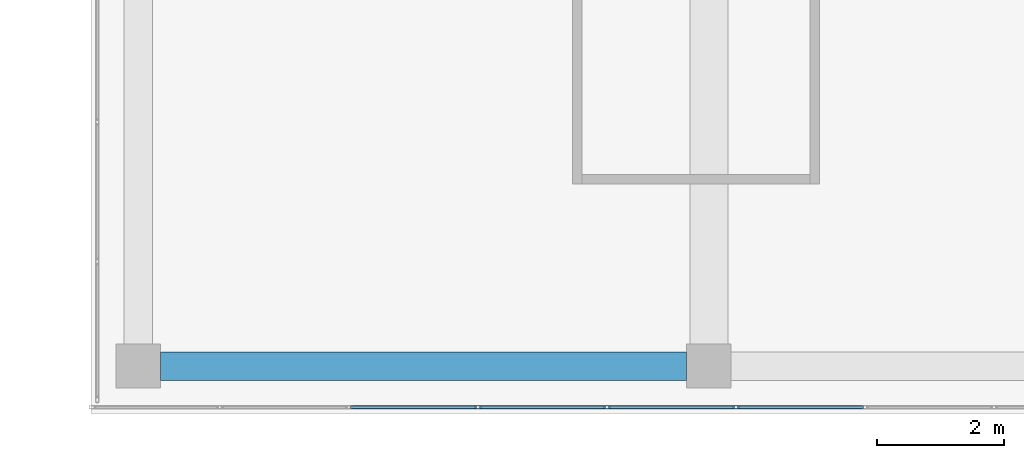
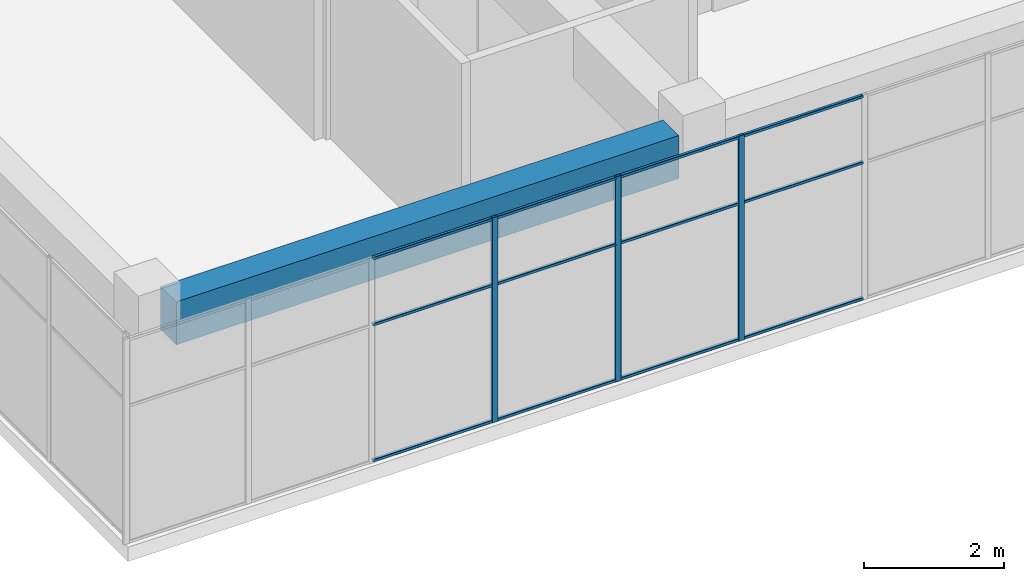
# One storey, part 4 of 32: 15 members, 1 beam, 1 element without a shape of its own.
"""IFC4 building model written with IfcOpenShell, lengths in metres."""

from ifc_helpers import new_model, si_unit, direction, frame, origin, origin_2d, place, context, subcontext, project, spatial, rectangle, hollow_rectangle, extrude, material, layer, layer_set, material_profile, profile_set, type_object, element, aggregate, save


model = new_model("IFC4")

# Units and contexts
model_context = context("Model", 3, precision=1e-05, world=origin(), true_north=direction((0.0, 1.0)))
body_context = subcontext(model_context, "Body", "Model", "MODEL_VIEW")
ifc_project = project(units=[si_unit("LENGTHUNIT", "METRE"), si_unit("AREAUNIT", "SQUARE_METRE"), si_unit("VOLUMEUNIT", "CUBIC_METRE"), si_unit("PLANEANGLEUNIT", "RADIAN"), si_unit("MASSUNIT", "GRAM", prefix="KILO")], contexts=[model_context])

# Site, building, storey
site_placement = place(None, origin())
site = spatial("IfcSite", under=ifc_project, at=site_placement, CompositionType="ELEMENT")
building_placement = place(site_placement, origin())
building = spatial("IfcBuilding", under=site, at=building_placement, Name="Tuart Plaza Theatre", CompositionType="ELEMENT")
storey_placement = place(building_placement, frame((0.0, 0.0, 37.5)))
storey = spatial("IfcBuildingStorey", under=building, at=storey_placement, Name="L09", CompositionType="ELEMENT", Elevation=37.5)

# Beam
ifc_material_1 = material(Name="Concrete N40 (40 MPa)", Category="concrete")
ifc_material_profile_1 = material_profile(ifc_material_1, rectangle(XDim=0.449951171875, YDim=0.75, at=origin_2d()), Name="BEAM 450x750 Concrete N40 (40 MPa)")
ifc_profile_set_1 = profile_set([ifc_material_profile_1], Name="Concrete N40 (40 MPa)")
beam_type = type_object("IfcBeamType", Name="BEAM 450x750 Concrete N40 (40 MPa)", PredefinedType="BEAM", material=ifc_profile_set_1)
beam_placement = place(storey_placement, frame((114.35009765625, 56.0, 3.205078125), z_axis=(1.0, 0.0, 0.0), x_axis=(0.0, 1.0, 0.0)))
element("IfcBeam", 1, at=beam_placement, inside=storey, type_object=beam_type, Name="RB256", PredefinedType="BEAM", context=body_context, shape_type="SweptSolid", body=[
    extrude(rectangle(XDim=0.449951171875, YDim=0.75, at=origin_2d()), origin(), (0.0, 0.0, 1.0), 8.2998046875),
])

# Curtain wall, members
ifc_material_2 = material(Name="Aluminium and glass", Category="aluminium")
ifc_layer = layer(ifc_material_2, 0.10009765625)
ifc_layer_set = layer_set([ifc_layer], Name="CURTAIN WALL 2000 module")
curtain_wall_type = type_object("IfcCurtainWallType", Name="CURTAIN WALL 2000 module", PredefinedType="NOTDEFINED", material=ifc_layer_set)
curtain_wall_placement = place(storey_placement, origin())
curtain_wall = element("IfcCurtainWall", 2, at=curtain_wall_placement, inside=storey, type_object=curtain_wall_type, Name="CW88", PredefinedType="NOTDEFINED")
ifc_material_3 = material(Name="Aluminium 6063-T5", Category="aluminium")
ifc_material_profile_2 = material_profile(ifc_material_3, hollow_rectangle(XDim=0.050048828125, YDim=0.10009765625, WallThickness=0.00390625, InnerFilletRadius=0.00390625, OuterFilletRadius=0.008056640625, at=origin_2d()), Name="RHS 100x50x4")
ifc_profile_set_2 = profile_set([ifc_material_profile_2], Name="Aluminium 6063-T5")
member_type_1 = type_object("IfcMemberType", Name="MULLION RHS 100x50x4", PredefinedType="MULLION", material=ifc_profile_set_2)
member_1_placement = place(storey_placement, frame((119.357177734375, 55.35009765625, 0.0), z_axis=(0.0, 0.0, 1.0), x_axis=(0.0, 1.0, 0.0)))
member_1 = element("IfcMember", 3, at=member_1_placement, type_object=member_type_1, Name="CW88 mullion 4", PredefinedType="MULLION", context=body_context, shape_type="SweptSolid", body=[
    extrude(hollow_rectangle(XDim=0.050048828125, YDim=0.10009765625, WallThickness=0.00390625, InnerFilletRadius=0.00390625, OuterFilletRadius=0.008056640625, at=origin_2d()), origin(), (0.0, 0.0, 1.0), 3.580078125),
])
member_2_placement = place(storey_placement, frame((121.392822265625, 55.35009765625, 0.0), z_axis=(0.0, 0.0, 1.0), x_axis=(0.0, 1.0, 0.0)))
member_2 = element("IfcMember", 4, at=member_2_placement, type_object=member_type_1, Name="CW88 mullion 5", PredefinedType="MULLION", context=body_context, shape_type="SweptSolid", body=[
    extrude(hollow_rectangle(XDim=0.050048828125, YDim=0.10009765625, WallThickness=0.00390625, InnerFilletRadius=0.00390625, OuterFilletRadius=0.008056640625, at=origin_2d()), origin(), (0.0, 0.0, 1.0), 3.580078125),
])
member_3_placement = place(storey_placement, frame((123.428466796875, 55.35009765625, 0.0), z_axis=(0.0, 0.0, 1.0), x_axis=(0.0, 1.0, 0.0)))
member_3 = element("IfcMember", 5, at=member_3_placement, type_object=member_type_1, Name="CW88 mullion 6", PredefinedType="MULLION", context=body_context, shape_type="SweptSolid", body=[
    extrude(hollow_rectangle(XDim=0.050048828125, YDim=0.10009765625, WallThickness=0.00390625, InnerFilletRadius=0.00390625, OuterFilletRadius=0.008056640625, at=origin_2d()), origin(), (0.0, 0.0, 1.0), 3.580078125),
])
ifc_material_4 = material(Name="Aluminium 6063-T5", Category="aluminium")
ifc_material_profile_3 = material_profile(ifc_material_4, hollow_rectangle(XDim=0.050048828125, YDim=0.050048828125, WallThickness=0.00390625, InnerFilletRadius=0.00390625, OuterFilletRadius=0.008056640625, at=origin_2d()), Name="RHS 50x50x4")
ifc_profile_set_3 = profile_set([ifc_material_profile_3], Name="Aluminium 6063-T5")
member_type_2 = type_object("IfcMemberType", Name="TRANSOM RHS 50x50x4", PredefinedType="USERDEFINED", material=ifc_profile_set_3)
member_4_placement = place(storey_placement, frame((117.346435546875, 55.35009765625, 0.02490234375), z_axis=(1.0, 0.0, 0.0), x_axis=(0.0, 1.0, 0.0)))
member_4 = element("IfcMember", 6, at=member_4_placement, type_object=member_type_2, Name="CW88 transom 3.1", ObjectType="TRANSOM", PredefinedType="USERDEFINED", context=body_context, shape_type="SweptSolid", body=[
    extrude(hollow_rectangle(XDim=0.050048828125, YDim=0.050048828125, WallThickness=0.00390625, InnerFilletRadius=0.00390625, OuterFilletRadius=0.008056640625, at=origin_2d()), origin(), (0.0, 0.0, 1.0), 1.985595703125),
])
member_5_placement = place(storey_placement, frame((117.346435546875, 55.35009765625, 2.39990234375), z_axis=(1.0, 0.0, 0.0), x_axis=(0.0, 1.0, 0.0)))
member_5 = element("IfcMember", 7, at=member_5_placement, type_object=member_type_2, Name="CW88 transom 3.2", ObjectType="TRANSOM", PredefinedType="USERDEFINED", context=body_context, shape_type="SweptSolid", body=[
    extrude(hollow_rectangle(XDim=0.050048828125, YDim=0.050048828125, WallThickness=0.00390625, InnerFilletRadius=0.00390625, OuterFilletRadius=0.008056640625, at=origin_2d()), origin(), (0.0, 0.0, 1.0), 1.985595703125),
])
member_6_placement = place(storey_placement, frame((117.346435546875, 55.35009765625, 3.554931640625), z_axis=(1.0, 0.0, 0.0), x_axis=(0.0, 1.0, 0.0)))
member_6 = element("IfcMember", 8, at=member_6_placement, type_object=member_type_2, Name="CW88 transom 3.3", ObjectType="TRANSOM", PredefinedType="USERDEFINED", context=body_context, shape_type="SweptSolid", body=[
    extrude(hollow_rectangle(XDim=0.050048828125, YDim=0.050048828125, WallThickness=0.00390625, InnerFilletRadius=0.00390625, OuterFilletRadius=0.008056640625, at=origin_2d()), origin(), (0.0, 0.0, 1.0), 1.985595703125),
])
member_7_placement = place(storey_placement, frame((119.382080078125, 55.35009765625, 0.02490234375), z_axis=(1.0, 0.0, 0.0), x_axis=(0.0, 1.0, 0.0)))
member_7 = element("IfcMember", 9, at=member_7_placement, type_object=member_type_2, Name="CW88 transom 4.1", ObjectType="TRANSOM", PredefinedType="USERDEFINED", context=body_context, shape_type="SweptSolid", body=[
    extrude(hollow_rectangle(XDim=0.050048828125, YDim=0.050048828125, WallThickness=0.00390625, InnerFilletRadius=0.00390625, OuterFilletRadius=0.008056640625, at=origin_2d()), origin(), (0.0, 0.0, 1.0), 1.98583984375),
])
member_8_placement = place(storey_placement, frame((119.382080078125, 55.35009765625, 2.39990234375), z_axis=(1.0, 0.0, 0.0), x_axis=(0.0, 1.0, 0.0)))
member_8 = element("IfcMember", 10, at=member_8_placement, type_object=member_type_2, Name="CW88 transom 4.2", ObjectType="TRANSOM", PredefinedType="USERDEFINED", context=body_context, shape_type="SweptSolid", body=[
    extrude(hollow_rectangle(XDim=0.050048828125, YDim=0.050048828125, WallThickness=0.00390625, InnerFilletRadius=0.00390625, OuterFilletRadius=0.008056640625, at=origin_2d()), origin(), (0.0, 0.0, 1.0), 1.98583984375),
])
member_9_placement = place(storey_placement, frame((119.382080078125, 55.35009765625, 3.554931640625), z_axis=(1.0, 0.0, 0.0), x_axis=(0.0, 1.0, 0.0)))
member_9 = element("IfcMember", 11, at=member_9_placement, type_object=member_type_2, Name="CW88 transom 4.3", ObjectType="TRANSOM", PredefinedType="USERDEFINED", context=body_context, shape_type="SweptSolid", body=[
    extrude(hollow_rectangle(XDim=0.050048828125, YDim=0.050048828125, WallThickness=0.00390625, InnerFilletRadius=0.00390625, OuterFilletRadius=0.008056640625, at=origin_2d()), origin(), (0.0, 0.0, 1.0), 1.98583984375),
])
member_10_placement = place(storey_placement, frame((121.41796875, 55.35009765625, 0.02490234375), z_axis=(1.0, 0.0, 0.0), x_axis=(0.0, 1.0, 0.0)))
member_10 = element("IfcMember", 12, at=member_10_placement, type_object=member_type_2, Name="CW88 transom 5.1", ObjectType="TRANSOM", PredefinedType="USERDEFINED", context=body_context, shape_type="SweptSolid", body=[
    extrude(hollow_rectangle(XDim=0.050048828125, YDim=0.050048828125, WallThickness=0.00390625, InnerFilletRadius=0.00390625, OuterFilletRadius=0.008056640625, at=origin_2d()), origin(), (0.0, 0.0, 1.0), 1.985595703125),
])
member_11_placement = place(storey_placement, frame((121.41796875, 55.35009765625, 2.39990234375), z_axis=(1.0, 0.0, 0.0), x_axis=(0.0, 1.0, 0.0)))
member_11 = element("IfcMember", 13, at=member_11_placement, type_object=member_type_2, Name="CW88 transom 5.2", ObjectType="TRANSOM", PredefinedType="USERDEFINED", context=body_context, shape_type="SweptSolid", body=[
    extrude(hollow_rectangle(XDim=0.050048828125, YDim=0.050048828125, WallThickness=0.00390625, InnerFilletRadius=0.00390625, OuterFilletRadius=0.008056640625, at=origin_2d()), origin(), (0.0, 0.0, 1.0), 1.985595703125),
])
member_12_placement = place(storey_placement, frame((121.41796875, 55.35009765625, 3.554931640625), z_axis=(1.0, 0.0, 0.0), x_axis=(0.0, 1.0, 0.0)))
member_12 = element("IfcMember", 14, at=member_12_placement, type_object=member_type_2, Name="CW88 transom 5.3", ObjectType="TRANSOM", PredefinedType="USERDEFINED", context=body_context, shape_type="SweptSolid", body=[
    extrude(hollow_rectangle(XDim=0.050048828125, YDim=0.050048828125, WallThickness=0.00390625, InnerFilletRadius=0.00390625, OuterFilletRadius=0.008056640625, at=origin_2d()), origin(), (0.0, 0.0, 1.0), 1.985595703125),
])
member_13_placement = place(storey_placement, frame((123.45361328125, 55.35009765625, 0.02490234375), z_axis=(1.0, 0.0, 0.0), x_axis=(0.0, 1.0, 0.0)))
member_13 = element("IfcMember", 15, at=member_13_placement, type_object=member_type_2, Name="CW88 transom 6.1", ObjectType="TRANSOM", PredefinedType="USERDEFINED", context=body_context, shape_type="SweptSolid", body=[
    extrude(hollow_rectangle(XDim=0.050048828125, YDim=0.050048828125, WallThickness=0.00390625, InnerFilletRadius=0.00390625, OuterFilletRadius=0.008056640625, at=origin_2d()), origin(), (0.0, 0.0, 1.0), 1.985595703125),
])
member_14_placement = place(storey_placement, frame((123.45361328125, 55.35009765625, 2.39990234375), z_axis=(1.0, 0.0, 0.0), x_axis=(0.0, 1.0, 0.0)))
member_14 = element("IfcMember", 16, at=member_14_placement, type_object=member_type_2, Name="CW88 transom 6.2", ObjectType="TRANSOM", PredefinedType="USERDEFINED", context=body_context, shape_type="SweptSolid", body=[
    extrude(hollow_rectangle(XDim=0.050048828125, YDim=0.050048828125, WallThickness=0.00390625, InnerFilletRadius=0.00390625, OuterFilletRadius=0.008056640625, at=origin_2d()), origin(), (0.0, 0.0, 1.0), 1.985595703125),
])
member_15_placement = place(storey_placement, frame((123.45361328125, 55.35009765625, 3.554931640625), z_axis=(1.0, 0.0, 0.0), x_axis=(0.0, 1.0, 0.0)))
member_15 = element("IfcMember", 17, at=member_15_placement, type_object=member_type_2, Name="CW88 transom 6.3", ObjectType="TRANSOM", PredefinedType="USERDEFINED", context=body_context, shape_type="SweptSolid", body=[
    extrude(hollow_rectangle(XDim=0.050048828125, YDim=0.050048828125, WallThickness=0.00390625, InnerFilletRadius=0.00390625, OuterFilletRadius=0.008056640625, at=origin_2d()), origin(), (0.0, 0.0, 1.0), 1.985595703125),
])
aggregate(curtain_wall, [member_1, member_2, member_3, member_4, member_5, member_6, member_7, member_8, member_9, member_10, member_11, member_12, member_13, member_14, member_15])

save(model, "model.ifc")
